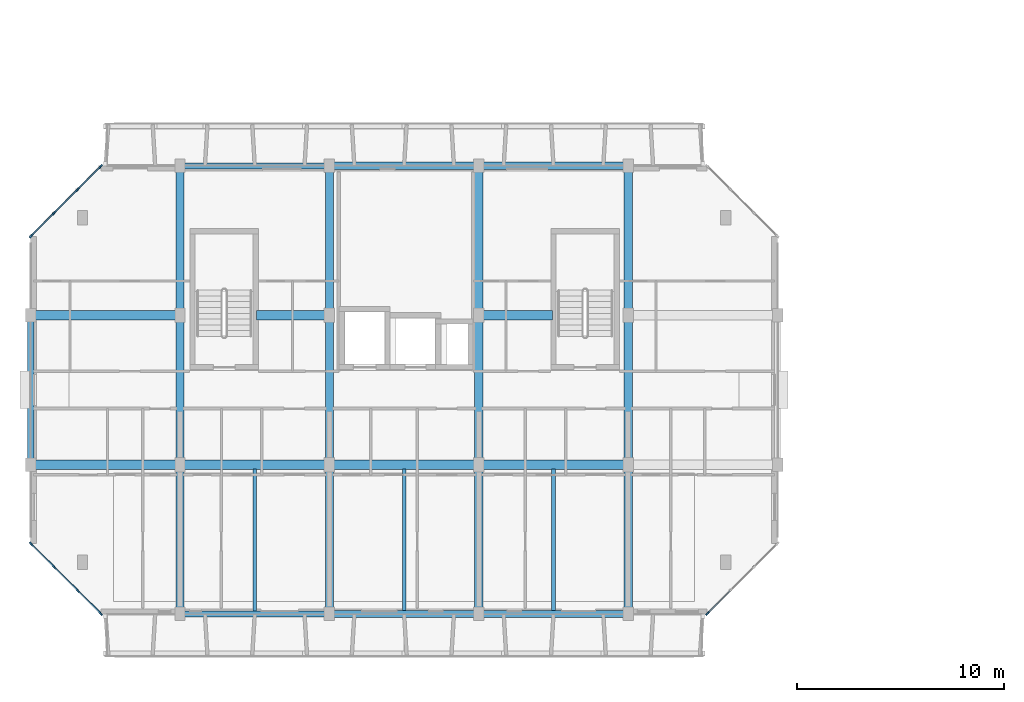
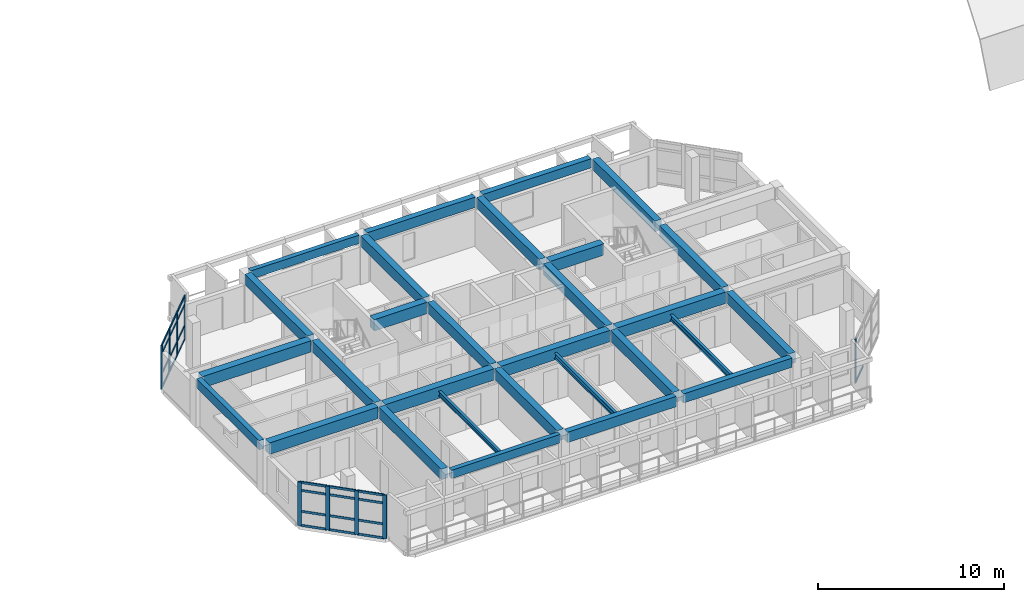
# One storey, part 2 of 51: 34 members, 29 beams, 3 elements without a shape of their own.
"""IFC4 building model written with IfcOpenShell, lengths in metres."""

from ifc_helpers import new_model, si_unit, direction, frame, origin, origin_2d, place, context, subcontext, project, spatial, rectangle, i_section, extrude, material, layer, layer_set, material_profile, profile_set, type_object, element, aggregate, save


model = new_model("IFC4")

# Units and contexts
model_context = context("Model", 3, precision=1e-05, world=origin(), true_north=direction((0.0, 1.0)))
body_context = subcontext(model_context, "Body", "Model", "MODEL_VIEW")
ifc_project = project(units=[si_unit("LENGTHUNIT", "METRE"), si_unit("AREAUNIT", "SQUARE_METRE"), si_unit("VOLUMEUNIT", "CUBIC_METRE"), si_unit("PLANEANGLEUNIT", "RADIAN"), si_unit("MASSUNIT", "GRAM", prefix="KILO")], contexts=[model_context])

# Site, building, storey
site_placement = place(None, origin())
site = spatial("IfcSite", under=ifc_project, at=site_placement, CompositionType="ELEMENT")
building_placement = place(site_placement, origin())
building = spatial("IfcBuilding", under=site, at=building_placement, Name="Ochrevale Crest", CompositionType="ELEMENT")
storey_placement = place(building_placement, frame((0.0, 0.0, 11.85009765625)))
storey = spatial("IfcBuildingStorey", under=building, at=storey_placement, Name="L03", CompositionType="ELEMENT", Elevation=11.85009765625)

# Beams
ifc_material_1 = material(Name="Precast concrete C50/60", Category="concrete")
ifc_material_profile_1 = material_profile(ifc_material_1, rectangle(XDim=0.39990234375, YDim=0.699951171875, at=origin_2d()), Name="PC 400x700")
ifc_profile_set_1 = profile_set([ifc_material_profile_1], Name="Precast concrete C50/60")
beam_type_1 = type_object("IfcBeamType", Name="BM-PC400x700", PredefinedType="BEAM", material=ifc_profile_set_1)
beam_1_placement = place(storey_placement, frame((7.199951171875, 14.6298828125, 2.7998046875), z_axis=(0.0, 1.0, 0.0), x_axis=(-1.0, 0.0, 0.0)))
element("IfcBeam", 1, at=beam_1_placement, inside=storey, type_object=beam_type_1, Name="Block A L03 N-S beam X=7.2", PredefinedType="BEAM", context=body_context, shape_type="SweptSolid", body=[
    extrude(rectangle(XDim=0.39990234375, YDim=0.699951171875, at=origin_2d()), origin(), (0.0, 0.0, 1.0), 6.740234375),
])
for number, where, z_axis, x_axis, name in (
    (2, (7.199951171875, 21.830078125, 2.7998046875), (0.0, 1.0, 0.0), (-1.0, 0.0, 0.0), "Block A L03 N-S beam X=7.2"),
    (3, (7.199951171875, 29.030029296875, 2.7998046875), (0.0, 1.0, 0.0), (-1.0, 0.0, 0.0), "Block A L03 N-S beam X=7.2"),
):
    element("IfcBeam", number, at=place(storey_placement, frame(where, z_axis=z_axis, x_axis=x_axis)), inside=storey, type_object=beam_type_1, Name=name, PredefinedType="BEAM", context=body_context, shape_type="SweptSolid", body=[
        extrude(rectangle(XDim=0.39990234375, YDim=0.699951171875, at=origin_2d()), origin(), (0.0, 0.0, 1.0), 6.739990234375),
    ])
beam_2_placement = place(storey_placement, frame((14.39990234375, 14.6298828125, 2.7998046875), z_axis=(0.0, 1.0, 0.0), x_axis=(-1.0, 0.0, 0.0)))
element("IfcBeam", 4, at=beam_2_placement, inside=storey, type_object=beam_type_1, Name="Block A L03 N-S beam X=14.4", PredefinedType="BEAM", context=body_context, shape_type="SweptSolid", body=[
    extrude(rectangle(XDim=0.39990234375, YDim=0.699951171875, at=origin_2d()), origin(), (0.0, 0.0, 1.0), 6.740234375),
])
for number, where, z_axis, x_axis, name in (
    (5, (14.39990234375, 21.830078125, 2.7998046875), (0.0, 1.0, 0.0), (-1.0, 0.0, 0.0), "Block A L03 N-S beam X=14.4"),
    (6, (14.39990234375, 29.030029296875, 2.7998046875), (0.0, 1.0, 0.0), (-1.0, 0.0, 0.0), "Block A L03 N-S beam X=14.4"),
):
    element("IfcBeam", number, at=place(storey_placement, frame(where, z_axis=z_axis, x_axis=x_axis)), inside=storey, type_object=beam_type_1, Name=name, PredefinedType="BEAM", context=body_context, shape_type="SweptSolid", body=[
        extrude(rectangle(XDim=0.39990234375, YDim=0.699951171875, at=origin_2d()), origin(), (0.0, 0.0, 1.0), 6.739990234375),
    ])
beam_3_placement = place(storey_placement, frame((21.60009765625, 14.6298828125, 2.7998046875), z_axis=(0.0, 1.0, 0.0), x_axis=(-1.0, 0.0, 0.0)))
element("IfcBeam", 7, at=beam_3_placement, inside=storey, type_object=beam_type_1, Name="Block A L03 N-S beam X=21.6", PredefinedType="BEAM", context=body_context, shape_type="SweptSolid", body=[
    extrude(rectangle(XDim=0.39990234375, YDim=0.699951171875, at=origin_2d()), origin(), (0.0, 0.0, 1.0), 6.740234375),
])
for number, where, z_axis, x_axis, name in (
    (8, (21.60009765625, 21.830078125, 2.7998046875), (0.0, 1.0, 0.0), (-1.0, 0.0, 0.0), "Block A L03 N-S beam X=21.6"),
    (9, (21.60009765625, 29.030029296875, 2.7998046875), (0.0, 1.0, 0.0), (-1.0, 0.0, 0.0), "Block A L03 N-S beam X=21.6"),
):
    element("IfcBeam", number, at=place(storey_placement, frame(where, z_axis=z_axis, x_axis=x_axis)), inside=storey, type_object=beam_type_1, Name=name, PredefinedType="BEAM", context=body_context, shape_type="SweptSolid", body=[
        extrude(rectangle(XDim=0.39990234375, YDim=0.699951171875, at=origin_2d()), origin(), (0.0, 0.0, 1.0), 6.739990234375),
    ])
beam_4_placement = place(storey_placement, frame((28.800048828125, 14.6298828125, 2.7998046875), z_axis=(0.0, 1.0, 0.0), x_axis=(-1.0, 0.0, 0.0)))
element("IfcBeam", 10, at=beam_4_placement, inside=storey, type_object=beam_type_1, Name="Block A L03 N-S beam X=28.8", PredefinedType="BEAM", context=body_context, shape_type="SweptSolid", body=[
    extrude(rectangle(XDim=0.39990234375, YDim=0.699951171875, at=origin_2d()), origin(), (0.0, 0.0, 1.0), 6.740234375),
])
for number, where, z_axis, x_axis, name in (
    (11, (28.800048828125, 21.830078125, 2.7998046875), (0.0, 1.0, 0.0), (-1.0, 0.0, 0.0), "Block A L03 N-S beam X=28.8"),
    (12, (28.800048828125, 29.030029296875, 2.7998046875), (0.0, 1.0, 0.0), (-1.0, 0.0, 0.0), "Block A L03 N-S beam X=28.8"),
):
    element("IfcBeam", number, at=place(storey_placement, frame(where, z_axis=z_axis, x_axis=x_axis)), inside=storey, type_object=beam_type_1, Name=name, PredefinedType="BEAM", context=body_context, shape_type="SweptSolid", body=[
        extrude(rectangle(XDim=0.39990234375, YDim=0.699951171875, at=origin_2d()), origin(), (0.0, 0.0, 1.0), 6.739990234375),
    ])
ifc_material_2 = material(Name="Concrete C50/60", Category="concrete")
ifc_material_profile_2 = material_profile(ifc_material_2, rectangle(XDim=0.449951171875, YDim=0.75, at=origin_2d()), Name="RC 450x750")
ifc_profile_set_2 = profile_set([ifc_material_profile_2], Name="Concrete C50/60")
beam_type_2 = type_object("IfcBeamType", Name="BM-PG450x750", PredefinedType="USERDEFINED", material=ifc_profile_set_2)
for number, where, z_axis, x_axis, name in (
    (13, (0.22509765625, 21.60009765625, 2.77490234375), (1.0, 0.0, 0.0), (0.0, 1.0, 0.0), "Block A L03 E-W beam Y=21.6"),
    (14, (7.425048828125, 21.60009765625, 2.77490234375), (1.0, 0.0, 0.0), (0.0, 1.0, 0.0), "Block A L03 E-W beam Y=21.6"),
    (15, (14.625, 21.60009765625, 2.77490234375), (1.0, 0.0, 0.0), (0.0, 1.0, 0.0), "Block A L03 E-W beam Y=21.6"),
    (16, (21.824951171875, 21.60009765625, 2.77490234375), (1.0, 0.0, 0.0), (0.0, 1.0, 0.0), "Block A L03 E-W beam Y=21.6"),
    (17, (0.22509765625, 28.800048828125, 2.77490234375), (1.0, 0.0, 0.0), (0.0, 1.0, 0.0), "Block A L03 E-W beam Y=28.8"),
):
    element("IfcBeam", number, at=place(storey_placement, frame(where, z_axis=z_axis, x_axis=x_axis)), inside=storey, type_object=beam_type_2, Name=name, ObjectType="GIRDER", PredefinedType="USERDEFINED", context=body_context, shape_type="SweptSolid", body=[
        extrude(rectangle(XDim=0.449951171875, YDim=0.75, at=origin_2d()), origin(), (0.0, 0.0, 1.0), 6.75),
    ])
beam_5_placement = place(storey_placement, frame((10.889892578125, 28.800048828125, 2.77490234375), z_axis=(1.0, 0.0, 0.0), x_axis=(0.0, 1.0, 0.0)))
element("IfcBeam", 18, at=beam_5_placement, inside=storey, type_object=beam_type_2, Name="Block A L03 E-W beam Y=28.8", ObjectType="GIRDER", PredefinedType="USERDEFINED", context=body_context, shape_type="SweptSolid", body=[
    extrude(rectangle(XDim=0.449951171875, YDim=0.75, at=origin_2d()), origin(), (0.0, 0.0, 1.0), 3.28515625),
])
beam_6_placement = place(storey_placement, frame((21.824951171875, 28.800048828125, 2.77490234375), z_axis=(1.0, 0.0, 0.0), x_axis=(0.0, 1.0, 0.0)))
element("IfcBeam", 19, at=beam_6_placement, inside=storey, type_object=beam_type_2, Name="Block A L03 E-W beam Y=28.8", ObjectType="GIRDER", PredefinedType="USERDEFINED", context=body_context, shape_type="SweptSolid", body=[
    extrude(rectangle(XDim=0.449951171875, YDim=0.75, at=origin_2d()), origin(), (0.0, 0.0, 1.0), 3.3349609375),
])
ifc_material_3 = material(Name="Precast concrete C40/50", Category="concrete")
ifc_material_profile_3 = material_profile(ifc_material_3, rectangle(XDim=0.280029296875, YDim=0.550048828125, at=origin_2d()), Name="PC 280x550")
ifc_profile_set_3 = profile_set([ifc_material_profile_3], Name="Precast concrete C40/50")
beam_type_3 = type_object("IfcBeamType", Name="BM-SP280x550", PredefinedType="SPANDREL", material=ifc_profile_set_3)
for number, where, z_axis, x_axis, name in (
    (20, (7.425048828125, 14.39990234375, 2.875), (1.0, 0.0, 0.0), (0.0, 1.0, 0.0), "Block A L03 E-W beam Y=14.4"),
    (21, (7.425048828125, 36.0, 2.875), (1.0, 0.0, 0.0), (0.0, 1.0, 0.0), "Block A L03 E-W beam Y=36.0"),
):
    element("IfcBeam", number, at=place(storey_placement, frame(where, z_axis=z_axis, x_axis=x_axis)), inside=storey, type_object=beam_type_3, Name=name, PredefinedType="SPANDREL", context=body_context, shape_type="SweptSolid", body=[
        extrude(rectangle(XDim=0.280029296875, YDim=0.550048828125, at=origin_2d()), origin(), (0.0, 0.0, 1.0), 6.75),
    ])
ifc_material_profile_4 = material_profile(ifc_material_3, rectangle(XDim=0.300048828125, YDim=0.60009765625, at=origin_2d()), Name="PC 300x600")
ifc_profile_set_4 = profile_set([ifc_material_profile_4], Name="Precast concrete C40/50")
beam_type_4 = type_object("IfcBeamType", Name="BM-SP300x600", PredefinedType="SPANDREL", material=ifc_profile_set_4)
beam_7_placement = place(storey_placement, frame((0.0, 21.830078125, 2.849853515625), z_axis=(0.0, 1.0, 0.0), x_axis=(-1.0, 0.0, 0.0)))
element("IfcBeam", 22, at=beam_7_placement, inside=storey, type_object=beam_type_4, Name="Block A L03 N-S beam X=0.0", PredefinedType="SPANDREL", context=body_context, shape_type="SweptSolid", body=[
    extrude(rectangle(XDim=0.300048828125, YDim=0.60009765625, at=origin_2d()), origin(), (0.0, 0.0, 1.0), 6.739990234375),
])
ifc_material_profile_5 = material_profile(ifc_material_3, rectangle(XDim=0.35009765625, YDim=0.60009765625, at=origin_2d()), Name="PC 350x600")
ifc_profile_set_5 = profile_set([ifc_material_profile_5], Name="Precast concrete C40/50")
beam_type_5 = type_object("IfcBeamType", Name="BM-SP350x600", PredefinedType="SPANDREL", material=ifc_profile_set_5)
for number, where, z_axis, x_axis, name in (
    (23, (21.824951171875, 14.39990234375, 2.849853515625), (1.0, 0.0, 0.0), (0.0, 1.0, 0.0), "Block A L03 E-W beam Y=14.4"),
    (24, (21.824951171875, 36.0, 2.849853515625), (1.0, 0.0, 0.0), (0.0, 1.0, 0.0), "Block A L03 E-W beam Y=36.0"),
):
    element("IfcBeam", number, at=place(storey_placement, frame(where, z_axis=z_axis, x_axis=x_axis)), inside=storey, type_object=beam_type_5, Name=name, PredefinedType="SPANDREL", context=body_context, shape_type="SweptSolid", body=[
        extrude(rectangle(XDim=0.35009765625, YDim=0.60009765625, at=origin_2d()), origin(), (0.0, 0.0, 1.0), 6.75),
    ])
ifc_material_profile_6 = material_profile(ifc_material_3, rectangle(XDim=0.35009765625, YDim=0.679931640625, at=origin_2d()), Name="PC 350x680")
ifc_profile_set_6 = profile_set([ifc_material_profile_6], Name="Precast concrete C40/50")
beam_type_6 = type_object("IfcBeamType", Name="BM-SP350x680", PredefinedType="SPANDREL", material=ifc_profile_set_6)
for number, where, z_axis, x_axis, name in (
    (25, (14.625, 14.39990234375, 2.809814453125), (1.0, 0.0, 0.0), (0.0, 1.0, 0.0), "Block A L03 E-W beam Y=14.4"),
    (26, (14.625, 36.0, 2.809814453125), (1.0, 0.0, 0.0), (0.0, 1.0, 0.0), "Block A L03 E-W beam Y=36.0"),
):
    element("IfcBeam", number, at=place(storey_placement, frame(where, z_axis=z_axis, x_axis=x_axis)), inside=storey, type_object=beam_type_6, Name=name, PredefinedType="SPANDREL", context=body_context, shape_type="SweptSolid", body=[
        extrude(rectangle(XDim=0.35009765625, YDim=0.679931640625, at=origin_2d()), origin(), (0.0, 0.0, 1.0), 6.75),
    ])
ifc_material_4 = material(Name="Steel S355", Category="steel")
ifc_material_profile_7 = material_profile(ifc_material_4, i_section(OverallWidth=0.1650390625, OverallDepth=0.3037109375, WebThickness=0.006103515625, FlangeThickness=0.01025390625, FilletRadius=0.011474609375, at=origin_2d()), Name="310UB40.4")
ifc_profile_set_7 = profile_set([ifc_material_profile_7], Name="Steel S355")
beam_type_7 = type_object("IfcBeamType", Name="BM-UB310A", PredefinedType="BEAM", material=ifc_profile_set_7)
beam_8_placement = place(storey_placement, frame((10.800048828125, 14.528076171875, 2.722900390625), z_axis=(0.0, 1.0, 0.0), x_axis=(-1.0, 0.0, 0.0)))
element("IfcBeam", 27, at=beam_8_placement, inside=storey, type_object=beam_type_7, Name="Block A L03 composite plank trimmer beam 2", PredefinedType="BEAM", context=body_context, shape_type="SweptSolid", body=[
    extrude(i_section(OverallWidth=0.1650390625, OverallDepth=0.3037109375, WebThickness=0.006103515625, FlangeThickness=0.01025390625, FilletRadius=0.011474609375, at=origin_2d()), origin(), (0.0, 0.0, 1.0), 6.85888671875),
])
ifc_material_profile_8 = material_profile(ifc_material_4, i_section(OverallWidth=0.17138671875, OverallDepth=0.355712890625, WebThickness=0.00732421875, FlangeThickness=0.011474609375, FilletRadius=0.011474609375, at=origin_2d()), Name="360UB50.7")
ifc_profile_set_8 = profile_set([ifc_material_profile_8], Name="Steel S355")
beam_type_8 = type_object("IfcBeamType", Name="BM-UB360A", PredefinedType="BEAM", material=ifc_profile_set_8)
beam_9_placement = place(storey_placement, frame((18.0, 14.56298828125, 2.697021484375), z_axis=(0.0, 1.0, 0.0), x_axis=(-1.0, 0.0, 0.0)))
element("IfcBeam", 28, at=beam_9_placement, inside=storey, type_object=beam_type_8, Name="Block A L03 composite plank trimmer beam 3", PredefinedType="BEAM", context=body_context, shape_type="SweptSolid", body=[
    extrude(i_section(OverallWidth=0.17138671875, OverallDepth=0.355712890625, WebThickness=0.00732421875, FlangeThickness=0.011474609375, FilletRadius=0.011474609375, at=origin_2d()), origin(), (0.0, 0.0, 1.0), 6.823974609375),
])
ifc_material_profile_9 = material_profile(ifc_material_4, i_section(OverallWidth=0.172119140625, OverallDepth=0.358642578125, WebThickness=0.008056640625, FlangeThickness=0.012939453125, FilletRadius=0.011474609375, at=origin_2d()), Name="360UB56.7")
ifc_profile_set_9 = profile_set([ifc_material_profile_9], Name="Steel S355")
beam_type_9 = type_object("IfcBeamType", Name="BM-UB360B", PredefinedType="BEAM", material=ifc_profile_set_9)
beam_10_placement = place(storey_placement, frame((25.199951171875, 14.56298828125, 2.695556640625), z_axis=(0.0, 1.0, 0.0), x_axis=(-1.0, 0.0, 0.0)))
element("IfcBeam", 29, at=beam_10_placement, inside=storey, type_object=beam_type_9, Name="Block A L03 composite plank trimmer beam 4", PredefinedType="BEAM", context=body_context, shape_type="SweptSolid", body=[
    extrude(i_section(OverallWidth=0.172119140625, OverallDepth=0.358642578125, WebThickness=0.008056640625, FlangeThickness=0.012939453125, FilletRadius=0.011474609375, at=origin_2d()), origin(), (0.0, 0.0, 1.0), 6.823974609375),
])

# Curtain wall, member
ifc_material_5 = material(Name="Anodised aluminium 6063-T5", Category="aluminium")
ifc_layer_1 = layer(ifc_material_5, 0.14990234375)
ifc_layer_set_1 = layer_set([ifc_layer_1], Name="Anodised aluminium 6063-T5")
curtain_wall_type_1 = type_object("IfcCurtainWallType", Name="CW-WG-240x285", PredefinedType="NOTDEFINED", material=ifc_layer_set_1)
curtain_wall_1_placement = place(storey_placement, origin())
curtain_wall_1 = element("IfcCurtainWall", 30, at=curtain_wall_1_placement, inside=storey, type_object=curtain_wall_type_1, Name="Block A L03 chamfered corner wintergarden curtain wall 2", PredefinedType="NOTDEFINED")
ifc_material_profile_10 = material_profile(ifc_material_5, rectangle(XDim=0.074951171875, YDim=0.219970703125, at=origin_2d()), Name="ALU 75x220")
ifc_profile_set_10 = profile_set([ifc_material_profile_10], Name="Anodised aluminium 6063-T5")
member_type_1 = type_object("IfcMemberType", Name="CW-MUL-75x220", PredefinedType="MULLION", material=ifc_profile_set_10)
member_1_placement = place(storey_placement, frame((32.62646484375, 14.426513671875, 0.0), z_axis=(0.0, 0.0, 1.0), x_axis=(-0.707106781187, 0.707106781187, 0.0)))
member_1 = element("IfcMember", 31, at=member_1_placement, type_object=member_type_1, Name="CW15 mullion 1", PredefinedType="MULLION", context=body_context, shape_type="SweptSolid", body=[
    extrude(rectangle(XDim=0.074951171875, YDim=0.219970703125, at=origin_2d()), origin(), (0.0, 0.0, 1.0), 2.875),
])

# Curtain wall, members
ifc_layer_2 = layer(ifc_material_5, 0.14990234375)
ifc_layer_set_2 = layer_set([ifc_layer_2], Name="Anodised aluminium 6063-T5")
curtain_wall_type_2 = type_object("IfcCurtainWallType", Name="CW-WG-420x285", PredefinedType="NOTDEFINED", material=ifc_layer_set_2)
curtain_wall_2_placement = place(storey_placement, origin())
curtain_wall_2 = element("IfcCurtainWall", 32, at=curtain_wall_2_placement, inside=storey, type_object=curtain_wall_type_2, Name="Block A L03 chamfered corner wintergarden curtain wall 6", PredefinedType="NOTDEFINED")
member_2_placement = place(storey_placement, frame((3.37353515625, 35.973388671875, 0.0), z_axis=(0.0, 0.0, 1.0), x_axis=(0.707106781187, -0.707106781187, 0.0)))
member_2 = element("IfcMember", 33, at=member_2_placement, type_object=member_type_1, Name="CW22 mullion 1", PredefinedType="MULLION", context=body_context, shape_type="SweptSolid", body=[
    extrude(rectangle(XDim=0.074951171875, YDim=0.219970703125, at=origin_2d()), origin(), (0.0, 0.0, 1.0), 2.875),
])
member_3_placement = place(storey_placement, frame((2.2666015625, 34.86669921875, 0.0), z_axis=(0.0, 0.0, 1.0), x_axis=(0.707106781187, -0.707106781187, 0.0)))
member_3 = element("IfcMember", 34, at=member_3_placement, type_object=member_type_1, Name="CW22 mullion 2", PredefinedType="MULLION", context=body_context, shape_type="SweptSolid", body=[
    extrude(rectangle(XDim=0.074951171875, YDim=0.219970703125, at=origin_2d()), origin(), (0.0, 0.0, 1.0), 2.875),
])
member_4_placement = place(storey_placement, frame((1.13330078125, 33.7333984375, 0.0), z_axis=(0.0, 0.0, 1.0), x_axis=(0.707106781187, -0.707106781187, 0.0)))
member_4 = element("IfcMember", 35, at=member_4_placement, type_object=member_type_1, Name="CW22 mullion 3", PredefinedType="MULLION", context=body_context, shape_type="SweptSolid", body=[
    extrude(rectangle(XDim=0.074951171875, YDim=0.219970703125, at=origin_2d()), origin(), (0.0, 0.0, 1.0), 2.875),
])
member_5_placement = place(storey_placement, frame((0.026611328125, 32.62646484375, 0.0), z_axis=(0.0, 0.0, 1.0), x_axis=(0.707106781187, -0.707106781187, 0.0)))
member_5 = element("IfcMember", 36, at=member_5_placement, type_object=member_type_1, Name="CW22 mullion 4", PredefinedType="MULLION", context=body_context, shape_type="SweptSolid", body=[
    extrude(rectangle(XDim=0.074951171875, YDim=0.219970703125, at=origin_2d()), origin(), (0.0, 0.0, 1.0), 2.875),
])

ifc_layer_3 = layer(ifc_material_5, 0.14990234375)
ifc_layer_set_3 = layer_set([ifc_layer_3], Name="Anodised aluminium 6063-T5")
curtain_wall_type_3 = type_object("IfcCurtainWallType", Name="CW-WG-280x285", PredefinedType="NOTDEFINED", material=ifc_layer_set_3)
curtain_wall_3_placement = place(storey_placement, origin())
curtain_wall_3 = element("IfcCurtainWall", 37, at=curtain_wall_3_placement, inside=storey, type_object=curtain_wall_type_3, Name="Block A L03 chamfered corner wintergarden curtain wall 8", PredefinedType="NOTDEFINED")
member_6_placement = place(storey_placement, frame((0.026611328125, 17.7734375, 0.0), z_axis=(0.0, 0.0, 1.0), x_axis=(0.707106781187, 0.707106781187, 0.0)))
member_6 = element("IfcMember", 38, at=member_6_placement, type_object=member_type_1, Name="CW16 mullion 1", PredefinedType="MULLION", context=body_context, shape_type="SweptSolid", body=[
    extrude(rectangle(XDim=0.074951171875, YDim=0.219970703125, at=origin_2d()), origin(), (0.0, 0.0, 1.0), 2.875),
])
member_7_placement = place(storey_placement, frame((1.13330078125, 16.666748046875, 0.0), z_axis=(0.0, 0.0, 1.0), x_axis=(0.707106781187, 0.707106781187, 0.0)))
member_7 = element("IfcMember", 39, at=member_7_placement, type_object=member_type_1, Name="CW16 mullion 2", PredefinedType="MULLION", context=body_context, shape_type="SweptSolid", body=[
    extrude(rectangle(XDim=0.074951171875, YDim=0.219970703125, at=origin_2d()), origin(), (0.0, 0.0, 1.0), 2.875),
])
member_8_placement = place(storey_placement, frame((2.2666015625, 15.533447265625, 0.0), z_axis=(0.0, 0.0, 1.0), x_axis=(0.707106781187, 0.707106781187, 0.0)))
member_8 = element("IfcMember", 40, at=member_8_placement, type_object=member_type_1, Name="CW16 mullion 3", PredefinedType="MULLION", context=body_context, shape_type="SweptSolid", body=[
    extrude(rectangle(XDim=0.074951171875, YDim=0.219970703125, at=origin_2d()), origin(), (0.0, 0.0, 1.0), 2.875),
])
member_9_placement = place(storey_placement, frame((3.37353515625, 14.426513671875, 0.0), z_axis=(0.0, 0.0, 1.0), x_axis=(0.707106781187, 0.707106781187, 0.0)))
member_9 = element("IfcMember", 41, at=member_9_placement, type_object=member_type_1, Name="CW16 mullion 4", PredefinedType="MULLION", context=body_context, shape_type="SweptSolid", body=[
    extrude(rectangle(XDim=0.074951171875, YDim=0.219970703125, at=origin_2d()), origin(), (0.0, 0.0, 1.0), 2.875),
])

# Member
ifc_material_profile_11 = material_profile(ifc_material_5, rectangle(XDim=0.06005859375, YDim=0.14990234375, at=origin_2d()), Name="ALU 60x150")
ifc_profile_set_11 = profile_set([ifc_material_profile_11], Name="Anodised aluminium 6063-T5")
member_type_2 = type_object("IfcMemberType", Name="CW-TRN-60x150", PredefinedType="USERDEFINED", material=ifc_profile_set_11)
member_10_placement = place(storey_placement, frame((32.653076171875, 14.453125, 0.02978515625), z_axis=(0.707106781187, 0.707106781187, 0.0), x_axis=(-0.707106781187, 0.707106781187, 0.0)))
member_10 = element("IfcMember", 42, at=member_10_placement, type_object=member_type_2, Name="CW15 transom 1.1", ObjectType="TRANSOM", PredefinedType="USERDEFINED", context=body_context, shape_type="SweptSolid", body=[
    extrude(rectangle(XDim=0.06005859375, YDim=0.14990234375, at=origin_2d()), origin(), (0.0, 0.0, 1.0), 1.490234375),
])

aggregate(curtain_wall_1, [member_1, member_10])

member_11_placement = place(storey_placement, frame((3.346923828125, 35.947021484375, 0.02978515625), z_axis=(-0.70702486902, -0.707188683865, 0.0), x_axis=(0.707188683865, -0.70702486902, 0.0)))
member_11 = element("IfcMember", 43, at=member_11_placement, type_object=member_type_2, Name="CW22 transom 1.1", ObjectType="TRANSOM", PredefinedType="USERDEFINED", context=body_context, shape_type="SweptSolid", body=[
    extrude(rectangle(XDim=0.06005859375, YDim=0.14990234375, at=origin_2d()), origin(), (0.0, 0.0, 1.0), 1.490234375),
])

member_12_placement = place(storey_placement, frame((3.346923828125, 35.947021484375, 0.949951171875), z_axis=(-0.70702486902, -0.707188683865, 0.0), x_axis=(0.707188683865, -0.70702486902, 0.0)))
member_12 = element("IfcMember", 44, at=member_12_placement, type_object=member_type_2, Name="CW22 transom 1.2", ObjectType="TRANSOM", PredefinedType="USERDEFINED", context=body_context, shape_type="SweptSolid", body=[
    extrude(rectangle(XDim=0.06005859375, YDim=0.14990234375, at=origin_2d()), origin(), (0.0, 0.0, 1.0), 1.490234375),
])

member_13_placement = place(storey_placement, frame((3.346923828125, 35.947021484375, 2.324951171875), z_axis=(-0.70702486902, -0.707188683865, 0.0), x_axis=(0.707188683865, -0.70702486902, 0.0)))
member_13 = element("IfcMember", 45, at=member_13_placement, type_object=member_type_2, Name="CW22 transom 1.3", ObjectType="TRANSOM", PredefinedType="USERDEFINED", context=body_context, shape_type="SweptSolid", body=[
    extrude(rectangle(XDim=0.06005859375, YDim=0.14990234375, at=origin_2d()), origin(), (0.0, 0.0, 1.0), 1.490234375),
])

member_14_placement = place(storey_placement, frame((3.346923828125, 35.947021484375, 2.844970703125), z_axis=(-0.70702486902, -0.707188683865, 0.0), x_axis=(0.707188683865, -0.70702486902, 0.0)))
member_14 = element("IfcMember", 46, at=member_14_placement, type_object=member_type_2, Name="CW22 transom 1.4", ObjectType="TRANSOM", PredefinedType="USERDEFINED", context=body_context, shape_type="SweptSolid", body=[
    extrude(rectangle(XDim=0.06005859375, YDim=0.14990234375, at=origin_2d()), origin(), (0.0, 0.0, 1.0), 1.490234375),
])

member_15_placement = place(storey_placement, frame((2.240234375, 34.840087890625, 0.02978515625), z_axis=(-0.707106781187, -0.707106781187, 0.0), x_axis=(0.707106781187, -0.707106781187, 0.0)))
member_15 = element("IfcMember", 47, at=member_15_placement, type_object=member_type_2, Name="CW22 transom 2.1", ObjectType="TRANSOM", PredefinedType="USERDEFINED", context=body_context, shape_type="SweptSolid", body=[
    extrude(rectangle(XDim=0.06005859375, YDim=0.14990234375, at=origin_2d()), origin(), (0.0, 0.0, 1.0), 1.52783203125),
])

member_16_placement = place(storey_placement, frame((2.240234375, 34.840087890625, 0.949951171875), z_axis=(-0.707106781187, -0.707106781187, 0.0), x_axis=(0.707106781187, -0.707106781187, 0.0)))
member_16 = element("IfcMember", 48, at=member_16_placement, type_object=member_type_2, Name="CW22 transom 2.2", ObjectType="TRANSOM", PredefinedType="USERDEFINED", context=body_context, shape_type="SweptSolid", body=[
    extrude(rectangle(XDim=0.06005859375, YDim=0.14990234375, at=origin_2d()), origin(), (0.0, 0.0, 1.0), 1.52783203125),
])

member_17_placement = place(storey_placement, frame((2.240234375, 34.840087890625, 2.324951171875), z_axis=(-0.707106781187, -0.707106781187, 0.0), x_axis=(0.707106781187, -0.707106781187, 0.0)))
member_17 = element("IfcMember", 49, at=member_17_placement, type_object=member_type_2, Name="CW22 transom 2.3", ObjectType="TRANSOM", PredefinedType="USERDEFINED", context=body_context, shape_type="SweptSolid", body=[
    extrude(rectangle(XDim=0.06005859375, YDim=0.14990234375, at=origin_2d()), origin(), (0.0, 0.0, 1.0), 1.52783203125),
])

member_18_placement = place(storey_placement, frame((2.240234375, 34.840087890625, 2.844970703125), z_axis=(-0.707106781187, -0.707106781187, 0.0), x_axis=(0.707106781187, -0.707106781187, 0.0)))
member_18 = element("IfcMember", 50, at=member_18_placement, type_object=member_type_2, Name="CW22 transom 2.4", ObjectType="TRANSOM", PredefinedType="USERDEFINED", context=body_context, shape_type="SweptSolid", body=[
    extrude(rectangle(XDim=0.06005859375, YDim=0.14990234375, at=origin_2d()), origin(), (0.0, 0.0, 1.0), 1.52783203125),
])

member_19_placement = place(storey_placement, frame((1.10693359375, 33.706787109375, 0.02978515625), z_axis=(-0.707188683865, -0.70702486902, 0.0), x_axis=(0.70702486902, -0.707188683865, 0.0)))
member_19 = element("IfcMember", 51, at=member_19_placement, type_object=member_type_2, Name="CW22 transom 3.1", ObjectType="TRANSOM", PredefinedType="USERDEFINED", context=body_context, shape_type="SweptSolid", body=[
    extrude(rectangle(XDim=0.06005859375, YDim=0.14990234375, at=origin_2d()), origin(), (0.0, 0.0, 1.0), 1.490234375),
])

member_20_placement = place(storey_placement, frame((1.10693359375, 33.706787109375, 0.949951171875), z_axis=(-0.707188683865, -0.70702486902, 0.0), x_axis=(0.70702486902, -0.707188683865, 0.0)))
member_20 = element("IfcMember", 52, at=member_20_placement, type_object=member_type_2, Name="CW22 transom 3.2", ObjectType="TRANSOM", PredefinedType="USERDEFINED", context=body_context, shape_type="SweptSolid", body=[
    extrude(rectangle(XDim=0.06005859375, YDim=0.14990234375, at=origin_2d()), origin(), (0.0, 0.0, 1.0), 1.490234375),
])

member_21_placement = place(storey_placement, frame((1.10693359375, 33.706787109375, 2.324951171875), z_axis=(-0.707188683865, -0.70702486902, 0.0), x_axis=(0.70702486902, -0.707188683865, 0.0)))
member_21 = element("IfcMember", 53, at=member_21_placement, type_object=member_type_2, Name="CW22 transom 3.3", ObjectType="TRANSOM", PredefinedType="USERDEFINED", context=body_context, shape_type="SweptSolid", body=[
    extrude(rectangle(XDim=0.06005859375, YDim=0.14990234375, at=origin_2d()), origin(), (0.0, 0.0, 1.0), 1.490234375),
])

member_22_placement = place(storey_placement, frame((1.10693359375, 33.706787109375, 2.844970703125), z_axis=(-0.707188683865, -0.70702486902, 0.0), x_axis=(0.70702486902, -0.707188683865, 0.0)))
member_22 = element("IfcMember", 54, at=member_22_placement, type_object=member_type_2, Name="CW22 transom 3.4", ObjectType="TRANSOM", PredefinedType="USERDEFINED", context=body_context, shape_type="SweptSolid", body=[
    extrude(rectangle(XDim=0.06005859375, YDim=0.14990234375, at=origin_2d()), origin(), (0.0, 0.0, 1.0), 1.490234375),
])

aggregate(curtain_wall_2, [member_2, member_3, member_4, member_5, member_11, member_12, member_13, member_14, member_15, member_16, member_17, member_18, member_19, member_20, member_21, member_22])

member_23_placement = place(storey_placement, frame((0.052978515625, 17.7470703125, 0.02978515625), z_axis=(0.707106781187, -0.707106781187, 0.0), x_axis=(0.707106781187, 0.707106781187, 0.0)))
member_23 = element("IfcMember", 55, at=member_23_placement, type_object=member_type_2, Name="CW16 transom 1.1", ObjectType="TRANSOM", PredefinedType="USERDEFINED", context=body_context, shape_type="SweptSolid", body=[
    extrude(rectangle(XDim=0.06005859375, YDim=0.14990234375, at=origin_2d()), origin(), (0.0, 0.0, 1.0), 1.490478515625),
])

member_24_placement = place(storey_placement, frame((0.052978515625, 17.7470703125, 0.949951171875), z_axis=(0.707106781187, -0.707106781187, 0.0), x_axis=(0.707106781187, 0.707106781187, 0.0)))
member_24 = element("IfcMember", 56, at=member_24_placement, type_object=member_type_2, Name="CW16 transom 1.2", ObjectType="TRANSOM", PredefinedType="USERDEFINED", context=body_context, shape_type="SweptSolid", body=[
    extrude(rectangle(XDim=0.06005859375, YDim=0.14990234375, at=origin_2d()), origin(), (0.0, 0.0, 1.0), 1.490478515625),
])

member_25_placement = place(storey_placement, frame((0.052978515625, 17.7470703125, 2.324951171875), z_axis=(0.707106781187, -0.707106781187, 0.0), x_axis=(0.707106781187, 0.707106781187, 0.0)))
member_25 = element("IfcMember", 57, at=member_25_placement, type_object=member_type_2, Name="CW16 transom 1.3", ObjectType="TRANSOM", PredefinedType="USERDEFINED", context=body_context, shape_type="SweptSolid", body=[
    extrude(rectangle(XDim=0.06005859375, YDim=0.14990234375, at=origin_2d()), origin(), (0.0, 0.0, 1.0), 1.490478515625),
])

member_26_placement = place(storey_placement, frame((0.052978515625, 17.7470703125, 2.844970703125), z_axis=(0.707106781187, -0.707106781187, 0.0), x_axis=(0.707106781187, 0.707106781187, 0.0)))
member_26 = element("IfcMember", 58, at=member_26_placement, type_object=member_type_2, Name="CW16 transom 1.4", ObjectType="TRANSOM", PredefinedType="USERDEFINED", context=body_context, shape_type="SweptSolid", body=[
    extrude(rectangle(XDim=0.06005859375, YDim=0.14990234375, at=origin_2d()), origin(), (0.0, 0.0, 1.0), 1.490478515625),
])

member_27_placement = place(storey_placement, frame((1.159912109375, 16.64013671875, 0.02978515625), z_axis=(0.707106781187, -0.707106781187, 0.0), x_axis=(0.707106781187, 0.707106781187, 0.0)))
member_27 = element("IfcMember", 59, at=member_27_placement, type_object=member_type_2, Name="CW16 transom 2.1", ObjectType="TRANSOM", PredefinedType="USERDEFINED", context=body_context, shape_type="SweptSolid", body=[
    extrude(rectangle(XDim=0.06005859375, YDim=0.14990234375, at=origin_2d()), origin(), (0.0, 0.0, 1.0), 1.52783203125),
])

member_28_placement = place(storey_placement, frame((1.159912109375, 16.64013671875, 0.949951171875), z_axis=(0.707106781187, -0.707106781187, 0.0), x_axis=(0.707106781187, 0.707106781187, 0.0)))
member_28 = element("IfcMember", 60, at=member_28_placement, type_object=member_type_2, Name="CW16 transom 2.2", ObjectType="TRANSOM", PredefinedType="USERDEFINED", context=body_context, shape_type="SweptSolid", body=[
    extrude(rectangle(XDim=0.06005859375, YDim=0.14990234375, at=origin_2d()), origin(), (0.0, 0.0, 1.0), 1.52783203125),
])

member_29_placement = place(storey_placement, frame((1.159912109375, 16.64013671875, 2.324951171875), z_axis=(0.707106781187, -0.707106781187, 0.0), x_axis=(0.707106781187, 0.707106781187, 0.0)))
member_29 = element("IfcMember", 61, at=member_29_placement, type_object=member_type_2, Name="CW16 transom 2.3", ObjectType="TRANSOM", PredefinedType="USERDEFINED", context=body_context, shape_type="SweptSolid", body=[
    extrude(rectangle(XDim=0.06005859375, YDim=0.14990234375, at=origin_2d()), origin(), (0.0, 0.0, 1.0), 1.52783203125),
])

member_30_placement = place(storey_placement, frame((1.159912109375, 16.64013671875, 2.844970703125), z_axis=(0.707106781187, -0.707106781187, 0.0), x_axis=(0.707106781187, 0.707106781187, 0.0)))
member_30 = element("IfcMember", 62, at=member_30_placement, type_object=member_type_2, Name="CW16 transom 2.4", ObjectType="TRANSOM", PredefinedType="USERDEFINED", context=body_context, shape_type="SweptSolid", body=[
    extrude(rectangle(XDim=0.06005859375, YDim=0.14990234375, at=origin_2d()), origin(), (0.0, 0.0, 1.0), 1.52783203125),
])

member_31_placement = place(storey_placement, frame((2.293212890625, 15.5068359375, 0.02978515625), z_axis=(0.707106781187, -0.707106781187, 0.0), x_axis=(0.707106781187, 0.707106781187, 0.0)))
member_31 = element("IfcMember", 63, at=member_31_placement, type_object=member_type_2, Name="CW16 transom 3.1", ObjectType="TRANSOM", PredefinedType="USERDEFINED", context=body_context, shape_type="SweptSolid", body=[
    extrude(rectangle(XDim=0.06005859375, YDim=0.14990234375, at=origin_2d()), origin(), (0.0, 0.0, 1.0), 1.490234375),
])

member_32_placement = place(storey_placement, frame((2.293212890625, 15.5068359375, 0.949951171875), z_axis=(0.707106781187, -0.707106781187, 0.0), x_axis=(0.707106781187, 0.707106781187, 0.0)))
member_32 = element("IfcMember", 64, at=member_32_placement, type_object=member_type_2, Name="CW16 transom 3.2", ObjectType="TRANSOM", PredefinedType="USERDEFINED", context=body_context, shape_type="SweptSolid", body=[
    extrude(rectangle(XDim=0.06005859375, YDim=0.14990234375, at=origin_2d()), origin(), (0.0, 0.0, 1.0), 1.490234375),
])

member_33_placement = place(storey_placement, frame((2.293212890625, 15.5068359375, 2.324951171875), z_axis=(0.707106781187, -0.707106781187, 0.0), x_axis=(0.707106781187, 0.707106781187, 0.0)))
member_33 = element("IfcMember", 65, at=member_33_placement, type_object=member_type_2, Name="CW16 transom 3.3", ObjectType="TRANSOM", PredefinedType="USERDEFINED", context=body_context, shape_type="SweptSolid", body=[
    extrude(rectangle(XDim=0.06005859375, YDim=0.14990234375, at=origin_2d()), origin(), (0.0, 0.0, 1.0), 1.490234375),
])

member_34_placement = place(storey_placement, frame((2.293212890625, 15.5068359375, 2.844970703125), z_axis=(0.707106781187, -0.707106781187, 0.0), x_axis=(0.707106781187, 0.707106781187, 0.0)))
member_34 = element("IfcMember", 66, at=member_34_placement, type_object=member_type_2, Name="CW16 transom 3.4", ObjectType="TRANSOM", PredefinedType="USERDEFINED", context=body_context, shape_type="SweptSolid", body=[
    extrude(rectangle(XDim=0.06005859375, YDim=0.14990234375, at=origin_2d()), origin(), (0.0, 0.0, 1.0), 1.490234375),
])

aggregate(curtain_wall_3, [member_6, member_7, member_8, member_9, member_23, member_24, member_25, member_26, member_27, member_28, member_29, member_30, member_31, member_32, member_33, member_34])

save(model, "model.ifc")
